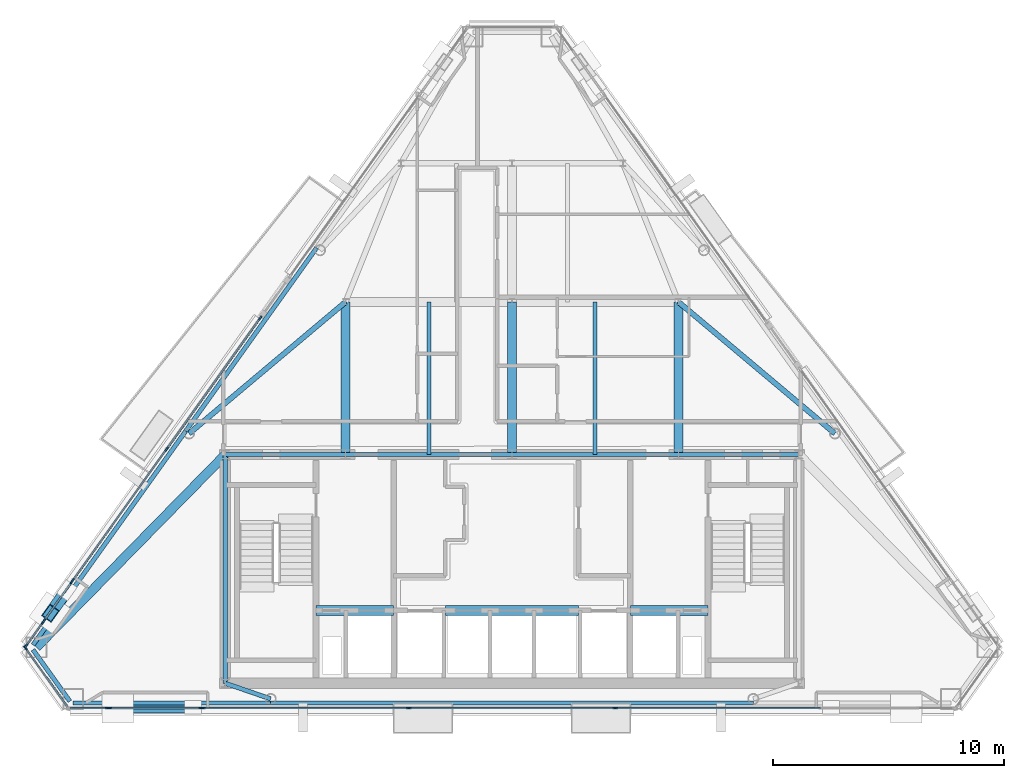
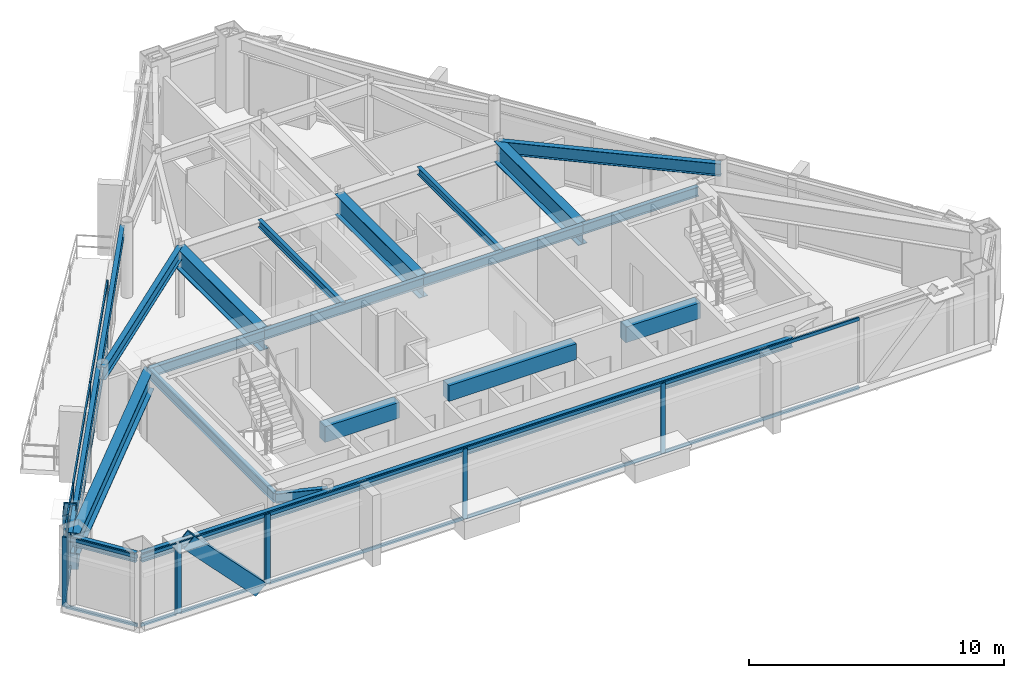
# One storey, part 4 of 12: 36 members, 22 beams, 7 elements without a shape of their own.
"""IFC4 building model written with IfcOpenShell, lengths in metres."""

from ifc_helpers import new_model, si_unit, direction, frame, origin, origin_2d, place, context, subcontext, project, spatial, rectangle, hollow_rectangle, i_section, extrude, material, layer, layer_set, material_profile, profile_set, type_object, element, aggregate, save


model = new_model("IFC4")

# Units and contexts
model_context = context("Model", 3, precision=1e-05, world=origin(), true_north=direction((0.0, 1.0)))
body_context = subcontext(model_context, "Body", "Model", "MODEL_VIEW")
ifc_project = project(units=[si_unit("LENGTHUNIT", "METRE"), si_unit("AREAUNIT", "SQUARE_METRE"), si_unit("VOLUMEUNIT", "CUBIC_METRE"), si_unit("PLANEANGLEUNIT", "RADIAN"), si_unit("MASSUNIT", "GRAM", prefix="KILO")], contexts=[model_context])

# Site, building, storey
site_placement = place(None, origin())
site = spatial("IfcSite", under=ifc_project, at=site_placement, CompositionType="ELEMENT")
building_placement = place(site_placement, origin())
building = spatial("IfcBuilding", under=site, at=building_placement, Name="Talgorran Terracotta Tower", CompositionType="ELEMENT")
storey_placement = place(building_placement, frame((0.0, 0.0, 277.800048828125)))
storey = spatial("IfcBuildingStorey", under=building, at=storey_placement, Name="L73", CompositionType="ELEMENT", Elevation=277.800048828125)

# Beams
ifc_material_1 = material(Name="Steel Grade 350 (350L0)", Category="steel")
ifc_material_profile_1 = material_profile(ifc_material_1, i_section(OverallWidth=0.39990234375, OverallDepth=1.0, WebThickness=0.01611328125, FlangeThickness=0.031005859375, at=origin_2d()), Name="1000WB296")
ifc_profile_set_1 = profile_set([ifc_material_profile_1], Name="Steel Grade 350 (350L0)")
beam_type_1 = type_object("IfcBeamType", Name="BM_1000WB296", PredefinedType="BEAM", material=ifc_profile_set_1)
for number, where, z_axis, x_axis, name in (
    (1, (-7.199951171875, -4.199951171875, 2.844970703125), (0.0, 1.0, 0.0), (-1.0, 0.0, 0.0), "L73 Floor Girder G01"),
    (2, (0.0, -4.199951171875, 2.844970703125), (0.0, 1.0, 0.0), (-1.0, 0.0, 0.0), "L73 Floor Girder G02"),
    (3, (7.199951171875, -4.199951171875, 2.844970703125), (0.0, 1.0, 0.0), (-1.0, 0.0, 0.0), "L73 Floor Girder G03"),
):
    element("IfcBeam", number, at=place(storey_placement, frame(where, z_axis=z_axis, x_axis=x_axis)), inside=storey, type_object=beam_type_1, Name=name, PredefinedType="BEAM", context=body_context, shape_type="SweptSolid", body=[
        extrude(i_section(OverallWidth=0.39990234375, OverallDepth=1.0, WebThickness=0.01611328125, FlangeThickness=0.031005859375, at=origin_2d()), origin(), (0.0, 0.0, 1.0), 6.599853515625),
    ])
beam_1_placement = place(storey_placement, frame((-12.39990234375, -4.199951171875, 2.844970703125), z_axis=(-0.700061173466, -0.714082875726, 0.0), x_axis=(0.714082875726, -0.700061173466, 0.0)))
element("IfcBeam", 4, at=beam_1_placement, inside=storey, type_object=beam_type_1, Name="L73 Floor Girder G17", PredefinedType="BEAM", context=body_context, shape_type="SweptSolid", body=[
    extrude(i_section(OverallWidth=0.39990234375, OverallDepth=1.0, WebThickness=0.01611328125, FlangeThickness=0.031005859375, at=origin_2d()), origin(), (0.0, 0.0, 1.0), 11.68310546875),
])
ifc_material_2 = material(Name="Steel S355 (300PLUS)", Category="steel")
ifc_material_profile_2 = material_profile(ifc_material_2, i_section(OverallWidth=0.22802734375, OverallDepth=0.60205078125, WebThickness=0.010498046875, FlangeThickness=0.014892578125, at=origin_2d()), Name="610UB101")
ifc_profile_set_2 = profile_set([ifc_material_profile_2], Name="Steel S355 (300PLUS)")
beam_type_2 = type_object("IfcBeamType", Name="BM_610UB101", PredefinedType="BEAM", material=ifc_profile_set_2)
for number, where, z_axis, x_axis, name in (
    (5, (-7.199951171875, 2.39990234375, 3.0439453125), (-0.765472083777, -0.643469104897, 0.0), (0.643469104897, -0.765472083777, 0.0), "L73 Floor Girder G06"),
    (6, (7.199951171875, 2.39990234375, 3.0439453125), (0.765472083777, -0.643469104897, 0.0), (0.643469104897, 0.765472083777, 0.0), "L73 Floor Girder G07"),
):
    element("IfcBeam", number, at=place(storey_placement, frame(where, z_axis=z_axis, x_axis=x_axis)), inside=storey, type_object=beam_type_2, Name=name, PredefinedType="BEAM", context=body_context, shape_type="SweptSolid", body=[
        extrude(i_section(OverallWidth=0.22802734375, OverallDepth=0.60205078125, WebThickness=0.010498046875, FlangeThickness=0.014892578125, at=origin_2d()), origin(), (0.0, 0.0, 1.0), 8.844970703125),
    ])
ifc_material_3 = material(Name="Concrete C50/60", Category="concrete")
ifc_material_profile_3 = material_profile(ifc_material_3, rectangle(XDim=0.449951171875, YDim=0.75, at=origin_2d()), Name="RCCB450X750")
ifc_profile_set_3 = profile_set([ifc_material_profile_3], Name="Concrete C50/60")
beam_type_3 = type_object("IfcBeamType", Name="BM_CB_450X750", PredefinedType="LINTEL", material=ifc_profile_set_3)
beam_2_placement = place(storey_placement, frame((-8.47998046875, -10.949951171875, 2.969970703125), z_axis=(1.0, 0.0, 0.0), x_axis=(0.0, 1.0, 0.0)))
element("IfcBeam", 7, at=beam_2_placement, inside=storey, type_object=beam_type_3, Name="L73 Core Shear-Wall Coupling Beam CB1", PredefinedType="LINTEL", context=body_context, shape_type="SweptSolid", body=[
    extrude(rectangle(XDim=0.449951171875, YDim=0.75, at=origin_2d()), origin(), (0.0, 0.0, 1.0), 3.35986328125),
])
beam_3_placement = place(storey_placement, frame((-2.8798828125, -10.949951171875, 2.969970703125), z_axis=(1.0, 0.0, 0.0), x_axis=(0.0, 1.0, 0.0)))
element("IfcBeam", 8, at=beam_3_placement, inside=storey, type_object=beam_type_3, Name="L73 Core Shear-Wall Coupling Beam CB2", PredefinedType="LINTEL", context=body_context, shape_type="SweptSolid", body=[
    extrude(rectangle(XDim=0.449951171875, YDim=0.75, at=origin_2d()), origin(), (0.0, 0.0, 1.0), 5.759765625),
])
beam_4_placement = place(storey_placement, frame((5.1201171875, -10.949951171875, 2.969970703125), z_axis=(1.0, 0.0, 0.0), x_axis=(0.0, 1.0, 0.0)))
element("IfcBeam", 9, at=beam_4_placement, inside=storey, type_object=beam_type_3, Name="L73 Core Shear-Wall Coupling Beam CB3", PredefinedType="LINTEL", context=body_context, shape_type="SweptSolid", body=[
    extrude(rectangle(XDim=0.449951171875, YDim=0.75, at=origin_2d()), origin(), (0.0, 0.0, 1.0), 3.35986328125),
])
ifc_material_profile_4 = material_profile(ifc_material_2, i_section(OverallWidth=0.17138671875, OverallDepth=0.355712890625, WebThickness=0.00732421875, FlangeThickness=0.011474609375, at=origin_2d()), Name="360UB50.7")
ifc_profile_set_4 = profile_set([ifc_material_profile_4], Name="Steel S355 (300PLUS)")
beam_type_4 = type_object("IfcBeamType", Name="BM_JS_360UB51", PredefinedType="JOIST", material=ifc_profile_set_4)
for number, where, z_axis, x_axis, name in (
    (10, (-3.60009765625, -4.199951171875, 3.167236328125), (0.0, 1.0, 0.0), (-1.0, 0.0, 0.0), "L73 Secondary Joist J01"),
    (11, (3.60009765625, -4.199951171875, 3.167236328125), (0.0, 1.0, 0.0), (-1.0, 0.0, 0.0), "L73 Secondary Joist J02"),
):
    element("IfcBeam", number, at=place(storey_placement, frame(where, z_axis=z_axis, x_axis=x_axis)), inside=storey, type_object=beam_type_4, Name=name, PredefinedType="JOIST", context=body_context, shape_type="SweptSolid", body=[
        extrude(i_section(OverallWidth=0.17138671875, OverallDepth=0.355712890625, WebThickness=0.00732421875, FlangeThickness=0.011474609375, at=origin_2d()), origin(), (0.0, 0.0, 1.0), 6.599853515625),
    ])
ifc_material_profile_5 = material_profile(ifc_material_2, i_section(OverallWidth=0.18994140625, OverallDepth=0.45703125, WebThickness=0.009033203125, FlangeThickness=0.014404296875, at=origin_2d()), Name="460UB74.6")
ifc_profile_set_5 = profile_set([ifc_material_profile_5], Name="Steel S355 (300PLUS)")
beam_type_5 = type_object("IfcBeamType", Name="BM_SP_460UB74", PredefinedType="SPANDREL", material=ifc_profile_set_5)
beam_5_placement = place(storey_placement, frame((-20.725341796875, -12.6474609375, 3.116455078125), z_axis=(0.581322401873, -0.813673315945, 0.0), x_axis=(0.813673315945, 0.581322401873, 0.0)))
element("IfcBeam", 12, at=beam_5_placement, inside=storey, type_object=beam_type_5, Name="L73 Perimeter Spandrel Beam MC1-MC2", PredefinedType="SPANDREL", context=body_context, shape_type="SweptSolid", body=[
    extrude(i_section(OverallWidth=0.18994140625, OverallDepth=0.45703125, WebThickness=0.009033203125, FlangeThickness=0.014404296875, at=origin_2d()), origin(), (0.0, 0.0, 1.0), 2.742431640625),
])
beam_6_placement = place(storey_placement, frame((-18.984619140625, -14.954345703125, 3.116455078125), z_axis=(1.0, 0.0, 0.0), x_axis=(0.0, 1.0, 0.0)))
element("IfcBeam", 13, at=beam_6_placement, inside=storey, type_object=beam_type_5, Name="L73 Perimeter Spandrel Beam MC2-FC1", PredefinedType="SPANDREL", context=body_context, shape_type="SweptSolid", body=[
    extrude(i_section(OverallWidth=0.18994140625, OverallDepth=0.45703125, WebThickness=0.009033203125, FlangeThickness=0.014404296875, at=origin_2d()), origin(), (0.0, 0.0, 1.0), 8.54296875),
])
beam_7_placement = place(storey_placement, frame((-10.441650390625, -14.954345703125, 3.116455078125), z_axis=(1.0, 0.0, 0.0), x_axis=(0.0, 1.0, 0.0)))
element("IfcBeam", 14, at=beam_7_placement, inside=storey, type_object=beam_type_5, Name="L73 Perimeter Spandrel Beam FC1-FC2", PredefinedType="SPANDREL", context=body_context, shape_type="SweptSolid", body=[
    extrude(i_section(OverallWidth=0.18994140625, OverallDepth=0.45703125, WebThickness=0.009033203125, FlangeThickness=0.014404296875, at=origin_2d()), origin(), (0.0, 0.0, 1.0), 20.88330078125),
])
beam_8_placement = place(storey_placement, frame((-8.45263671875, 4.742919921875, 3.116455078125), z_axis=(-0.58124293337, -0.813730085721, 0.0), x_axis=(0.813730085721, -0.58124293337, 0.0)))
element("IfcBeam", 15, at=beam_8_placement, inside=storey, type_object=beam_type_5, Name="L73 Perimeter Spandrel Beam FC5-FC6", PredefinedType="SPANDREL", context=body_context, shape_type="SweptSolid", body=[
    extrude(i_section(OverallWidth=0.18994140625, OverallDepth=0.45703125, WebThickness=0.009033203125, FlangeThickness=0.014404296875, at=origin_2d()), origin(), (0.0, 0.0, 1.0), 9.7451171875),
])
beam_9_placement = place(storey_placement, frame((-14.116943359375, -3.18701171875, 3.116455078125), z_axis=(-0.581260538156, -0.813717510431, 0.0), x_axis=(0.813717510431, -0.581260538156, 0.0)))
element("IfcBeam", 16, at=beam_9_placement, inside=storey, type_object=beam_type_5, Name="L73 Perimeter Spandrel Beam FC6-MC1", PredefinedType="SPANDREL", context=body_context, shape_type="SweptSolid", body=[
    extrude(i_section(OverallWidth=0.18994140625, OverallDepth=0.45703125, WebThickness=0.009033203125, FlangeThickness=0.014404296875, at=origin_2d()), origin(), (0.0, 0.0, 1.0), 11.369140625),
])
beam_10_placement = place(storey_placement, frame((-10.441650390625, -14.7744140625, 3.116455078125), z_axis=(-0.945513197236, 0.325583773939, 0.0), x_axis=(-0.325583773939, -0.945513197236, 0.0)))
element("IfcBeam", 17, at=beam_10_placement, inside=storey, type_object=beam_type_5, Name="L73 South-West Core Tie Beam", PredefinedType="SPANDREL", context=body_context, shape_type="SweptSolid", body=[
    extrude(i_section(OverallWidth=0.18994140625, OverallDepth=0.45703125, WebThickness=0.009033203125, FlangeThickness=0.014404296875, at=origin_2d()), origin(), (0.0, 0.0, 1.0), 2.071044921875),
])
beam_11_placement = place(storey_placement, frame((-12.39990234375, -14.10009765625, 3.116455078125), z_axis=(0.0, 1.0, 0.0), x_axis=(-1.0, 0.0, 0.0)))
element("IfcBeam", 18, at=beam_11_placement, inside=storey, type_object=beam_type_5, Name="L73 Core Frame Beam CFW", PredefinedType="SPANDREL", context=body_context, shape_type="SweptSolid", body=[
    extrude(i_section(OverallWidth=0.18994140625, OverallDepth=0.45703125, WebThickness=0.009033203125, FlangeThickness=0.014404296875, at=origin_2d()), origin(), (0.0, 0.0, 1.0), 9.900146484375),
])
beam_12_placement = place(storey_placement, frame((-12.39990234375, -4.199951171875, 3.116455078125), z_axis=(1.0, 0.0, 0.0), x_axis=(0.0, 1.0, 0.0)))
element("IfcBeam", 19, at=beam_12_placement, inside=storey, type_object=beam_type_5, Name="L73 Core Frame Beam CFN1", PredefinedType="SPANDREL", context=body_context, shape_type="SweptSolid", body=[
    extrude(i_section(OverallWidth=0.18994140625, OverallDepth=0.45703125, WebThickness=0.009033203125, FlangeThickness=0.014404296875, at=origin_2d()), origin(), (0.0, 0.0, 1.0), 5.199951171875),
])
for number, where, z_axis, x_axis, name in (
    (20, (-7.199951171875, -4.199951171875, 3.116455078125), (1.0, 0.0, 0.0), (0.0, 1.0, 0.0), "L73 Core Frame Beam CFN2"),
    (21, (0.0, -4.199951171875, 3.116455078125), (1.0, 0.0, 0.0), (0.0, 1.0, 0.0), "L73 Core Frame Beam CFN3"),
):
    element("IfcBeam", number, at=place(storey_placement, frame(where, z_axis=z_axis, x_axis=x_axis)), inside=storey, type_object=beam_type_5, Name=name, PredefinedType="SPANDREL", context=body_context, shape_type="SweptSolid", body=[
        extrude(i_section(OverallWidth=0.18994140625, OverallDepth=0.45703125, WebThickness=0.009033203125, FlangeThickness=0.014404296875, at=origin_2d()), origin(), (0.0, 0.0, 1.0), 7.199951171875),
    ])
beam_13_placement = place(storey_placement, frame((7.199951171875, -4.199951171875, 3.116455078125), z_axis=(1.0, 0.0, 0.0), x_axis=(0.0, 1.0, 0.0)))
element("IfcBeam", 22, at=beam_13_placement, inside=storey, type_object=beam_type_5, Name="L73 Core Frame Beam CFN4", PredefinedType="SPANDREL", context=body_context, shape_type="SweptSolid", body=[
    extrude(i_section(OverallWidth=0.18994140625, OverallDepth=0.45703125, WebThickness=0.009033203125, FlangeThickness=0.014404296875, at=origin_2d()), origin(), (0.0, 0.0, 1.0), 5.199951171875),
])

# Members
ifc_material_profile_6 = material_profile(ifc_material_1, hollow_rectangle(XDim=0.52001953125, YDim=0.659912109375, WallThickness=0.034912109375, at=origin_2d()), Name="WBOX660X520X35")
ifc_profile_set_6 = profile_set([ifc_material_profile_6], Name="Steel Grade 350 (350L0)")
member_type_1 = type_object("IfcMemberType", Name="MB_MEGA_660", PredefinedType="BRACE", material=ifc_profile_set_6)
member_1_placement = place(storey_placement, frame((-13.802490234375, -15.134521484375, -0.025146484375), z_axis=(-0.6924843103, 0.0, 0.721432935198), x_axis=(0.0, -1.0, 0.0)))
element("IfcMember", 23, at=member_1_placement, inside=storey, type_object=member_type_1, Name="L73 Exterior Face Mega-Brace MB-3 (SWF)", PredefinedType="BRACE", context=body_context, shape_type="SweptSolid", body=[
    extrude(hollow_rectangle(XDim=0.52001953125, YDim=0.659912109375, WallThickness=0.034912109375, at=origin_2d()), origin(), (0.0, 0.0, 1.0), 4.7060546875),
])
member_2_placement = place(storey_placement, frame((-19.260498046875, -10.077880859375, -0.025146484375), z_axis=(-0.196291068878, -0.274807496429, 0.941249518558), x_axis=(0.813733471207, -0.581238193719, 0.0)))
element("IfcMember", 24, at=member_2_placement, inside=storey, type_object=member_type_1, Name="L73 Exterior Face Mega-Brace MB-3 (NWL)", PredefinedType="BRACE", context=body_context, shape_type="SweptSolid", body=[
    extrude(hollow_rectangle(XDim=0.52001953125, YDim=0.659912109375, WallThickness=0.034912109375, at=origin_2d()), origin(), (0.0, 0.0, 1.0), 3.60693359375),
])

# Curtain wall, member
ifc_material_4 = material(Name="High-Wind Unitised Glazing", Category="glass")
ifc_layer = layer(ifc_material_4, 0.2099609375, Name="CW_SYS3_RES_HIGH")
ifc_layer_set = layer_set([ifc_layer], Name="High-Wind Unitised Glazing")
curtain_wall_type = type_object("IfcCurtainWallType", Name="CW_SYS3_RES_HIGH", PredefinedType="NOTDEFINED", material=ifc_layer_set)
curtain_wall_1_placement = place(storey_placement, origin())
curtain_wall_1 = element("IfcCurtainWall", 25, at=curtain_wall_1_placement, inside=storey, type_object=curtain_wall_type, Name="CW-L73-F0", PredefinedType="NOTDEFINED")
ifc_material_5 = material(Name="Architectural Aluminium 6063-T6", Category="aluminium")
ifc_material_profile_7 = material_profile(ifc_material_5, rectangle(XDim=0.070068359375, YDim=0.199951171875, at=origin_2d()), Name="CWM70X200")
ifc_profile_set_7 = profile_set([ifc_material_profile_7], Name="Architectural Aluminium 6063-T6")
member_type_2 = type_object("IfcMemberType", Name="MUL_70X200", PredefinedType="MULLION", material=ifc_profile_set_7)
member_3_placement = place(storey_placement, frame((-21.050048828125, -12.5712890625, 0.0), z_axis=(0.0, 0.0, 1.0), x_axis=(0.813720935413, 0.58125574343, 0.0)))
member_3 = element("IfcMember", 26, at=member_3_placement, type_object=member_type_2, Name="CW-L73-0 mullion 1", PredefinedType="MULLION", context=body_context, shape_type="SweptSolid", body=[
    extrude(rectangle(XDim=0.070068359375, YDim=0.199951171875, at=origin_2d()), origin(), (0.0, 0.0, 1.0), 3.344970703125),
])

curtain_wall_2_placement = place(storey_placement, origin())
curtain_wall_2 = element("IfcCurtainWall", 27, at=curtain_wall_2_placement, inside=storey, type_object=curtain_wall_type, Name="CW-L73-F1", PredefinedType="NOTDEFINED")
member_4_placement = place(storey_placement, frame((-17.489501953125, -15.17431640625, 0.0), z_axis=(0.0, 0.0, 1.0), x_axis=(0.0, 1.0, 0.0)))
member_4 = element("IfcMember", 28, at=member_4_placement, type_object=member_type_2, Name="CW-L73-1 mullion 2", PredefinedType="MULLION", context=body_context, shape_type="SweptSolid", body=[
    extrude(rectangle(XDim=0.070068359375, YDim=0.199951171875, at=origin_2d()), origin(), (0.0, 0.0, 1.0), 3.344970703125),
])

# Curtain wall, members
curtain_wall_3_placement = place(storey_placement, origin())
curtain_wall_3 = element("IfcCurtainWall", 29, at=curtain_wall_3_placement, inside=storey, type_object=curtain_wall_type, Name="CW-L73-F1B", PredefinedType="NOTDEFINED")
member_5_placement = place(storey_placement, frame((-17.409423828125, -15.17431640625, 0.0), z_axis=(0.0, 0.0, 1.0), x_axis=(0.0, 1.0, 0.0)))
member_5 = element("IfcMember", 30, at=member_5_placement, type_object=member_type_2, Name="CW-L73-1B mullion 1", PredefinedType="MULLION", context=body_context, shape_type="SweptSolid", body=[
    extrude(rectangle(XDim=0.070068359375, YDim=0.199951171875, at=origin_2d()), origin(), (0.0, 0.0, 1.0), 3.344970703125),
])
member_6_placement = place(storey_placement, frame((-13.454345703125, -15.17431640625, 0.0), z_axis=(0.0, 0.0, 1.0), x_axis=(0.0, 1.0, 0.0)))
member_6 = element("IfcMember", 31, at=member_6_placement, type_object=member_type_2, Name="CW-L73-1B mullion 2", PredefinedType="MULLION", context=body_context, shape_type="SweptSolid", body=[
    extrude(rectangle(XDim=0.070068359375, YDim=0.199951171875, at=origin_2d()), origin(), (0.0, 0.0, 1.0), 3.344970703125),
])

curtain_wall_4_placement = place(storey_placement, origin())
curtain_wall_4 = element("IfcCurtainWall", 32, at=curtain_wall_4_placement, inside=storey, type_object=curtain_wall_type, Name="CW-L73-F1C", PredefinedType="NOTDEFINED")
member_7_placement = place(storey_placement, frame((-13.374267578125, -15.17431640625, 0.0), z_axis=(0.0, 0.0, 1.0), x_axis=(0.0, 1.0, 0.0)))
member_7 = element("IfcMember", 33, at=member_7_placement, type_object=member_type_2, Name="CW-L73-1C mullion 1", PredefinedType="MULLION", context=body_context, shape_type="SweptSolid", body=[
    extrude(rectangle(XDim=0.070068359375, YDim=0.199951171875, at=origin_2d()), origin(), (0.0, 0.0, 1.0), 3.344970703125),
])
member_8_placement = place(storey_placement, frame((-4.4697265625, -15.17431640625, 0.0), z_axis=(0.0, 0.0, 1.0), x_axis=(0.0, 1.0, 0.0)))
member_8 = element("IfcMember", 34, at=member_8_placement, type_object=member_type_2, Name="CW-L73-1C mullion 2", PredefinedType="MULLION", context=body_context, shape_type="SweptSolid", body=[
    extrude(rectangle(XDim=0.070068359375, YDim=0.199951171875, at=origin_2d()), origin(), (0.0, 0.0, 1.0), 3.344970703125),
])
member_9_placement = place(storey_placement, frame((4.4697265625, -15.17431640625, 0.0), z_axis=(0.0, 0.0, 1.0), x_axis=(0.0, 1.0, 0.0)))
member_9 = element("IfcMember", 35, at=member_9_placement, type_object=member_type_2, Name="CW-L73-1C mullion 3", PredefinedType="MULLION", context=body_context, shape_type="SweptSolid", body=[
    extrude(rectangle(XDim=0.070068359375, YDim=0.199951171875, at=origin_2d()), origin(), (0.0, 0.0, 1.0), 3.344970703125),
])

curtain_wall_5_placement = place(storey_placement, origin())
curtain_wall_5 = element("IfcCurtainWall", 36, at=curtain_wall_5_placement, inside=storey, type_object=curtain_wall_type, Name="CW-L73-F61", PredefinedType="NOTDEFINED")
member_10_placement = place(storey_placement, frame((-10.8935546875, 1.704345703125, 0.0), z_axis=(0.0, 0.0, 1.0), x_axis=(0.813726724123, -0.581247639521, 0.0)))
member_10 = element("IfcMember", 37, at=member_10_placement, type_object=member_type_2, Name="CW-L73-61 mullion 1", PredefinedType="MULLION", context=body_context, shape_type="SweptSolid", body=[
    extrude(rectangle(XDim=0.070068359375, YDim=0.199951171875, at=origin_2d()), origin(), (0.0, 0.0, 1.0), 3.344970703125),
])
member_11_placement = place(storey_placement, frame((-14.94775390625, -3.971435546875, 0.0), z_axis=(0.0, 0.0, 1.0), x_axis=(0.813726724123, -0.581247639521, 0.0)))
member_11 = element("IfcMember", 38, at=member_11_placement, type_object=member_type_2, Name="CW-L73-61 mullion 2", PredefinedType="MULLION", context=body_context, shape_type="SweptSolid", body=[
    extrude(rectangle(XDim=0.070068359375, YDim=0.199951171875, at=origin_2d()), origin(), (0.0, 0.0, 1.0), 3.344970703125),
])
member_12_placement = place(storey_placement, frame((-19.001953125, -9.647216796875, 0.0), z_axis=(0.0, 0.0, 1.0), x_axis=(0.813726724123, -0.581247639521, 0.0)))
member_12 = element("IfcMember", 39, at=member_12_placement, type_object=member_type_2, Name="CW-L73-61 mullion 3", PredefinedType="MULLION", context=body_context, shape_type="SweptSolid", body=[
    extrude(rectangle(XDim=0.070068359375, YDim=0.199951171875, at=origin_2d()), origin(), (0.0, 0.0, 1.0), 3.344970703125),
])

curtain_wall_6_placement = place(storey_placement, origin())
curtain_wall_6 = element("IfcCurtainWall", 40, at=curtain_wall_6_placement, inside=storey, type_object=curtain_wall_type, Name="CW-L73-F61B", PredefinedType="NOTDEFINED")
member_13_placement = place(storey_placement, frame((-19.04833984375, -9.71240234375, 0.0), z_axis=(0.0, 0.0, 1.0), x_axis=(0.813714433127, -0.581264846108, 0.0)))
member_13 = element("IfcMember", 41, at=member_13_placement, type_object=member_type_2, Name="CW-L73-61B mullion 1", PredefinedType="MULLION", context=body_context, shape_type="SweptSolid", body=[
    extrude(rectangle(XDim=0.070068359375, YDim=0.199951171875, at=origin_2d()), origin(), (0.0, 0.0, 1.0), 3.344970703125),
])
member_14_placement = place(storey_placement, frame((-20.24560546875, -11.388427734375, 0.0), z_axis=(0.0, 0.0, 1.0), x_axis=(0.813714433127, -0.581264846108, 0.0)))
member_14 = element("IfcMember", 42, at=member_14_placement, type_object=member_type_2, Name="CW-L73-61B mullion 2", PredefinedType="MULLION", context=body_context, shape_type="SweptSolid", body=[
    extrude(rectangle(XDim=0.070068359375, YDim=0.199951171875, at=origin_2d()), origin(), (0.0, 0.0, 1.0), 3.344970703125),
])

curtain_wall_7_placement = place(storey_placement, origin())
curtain_wall_7 = element("IfcCurtainWall", 43, at=curtain_wall_7_placement, inside=storey, type_object=curtain_wall_type, Name="CW-L73-F61C", PredefinedType="NOTDEFINED")
member_15_placement = place(storey_placement, frame((-20.2919921875, -11.453369140625, 0.0), z_axis=(0.0, 0.0, 1.0), x_axis=(0.813728405611, -0.581245285488, 0.0)))
member_15 = element("IfcMember", 44, at=member_15_placement, type_object=member_type_2, Name="CW-L73-61C mullion 1", PredefinedType="MULLION", context=body_context, shape_type="SweptSolid", body=[
    extrude(rectangle(XDim=0.070068359375, YDim=0.199951171875, at=origin_2d()), origin(), (0.0, 0.0, 1.0), 3.344970703125),
])
member_16_placement = place(storey_placement, frame((-21.026611328125, -12.48193359375, 0.0), z_axis=(0.0, 0.0, 1.0), x_axis=(0.813728405611, -0.581245285488, 0.0)))
member_16 = element("IfcMember", 45, at=member_16_placement, type_object=member_type_2, Name="CW-L73-61C mullion 2", PredefinedType="MULLION", context=body_context, shape_type="SweptSolid", body=[
    extrude(rectangle(XDim=0.070068359375, YDim=0.199951171875, at=origin_2d()), origin(), (0.0, 0.0, 1.0), 3.344970703125),
])

# Member
ifc_material_profile_8 = material_profile(ifc_material_5, rectangle(XDim=0.070068359375, YDim=0.159912109375, at=origin_2d()), Name="CWT70X160")
ifc_profile_set_8 = profile_set([ifc_material_profile_8], Name="Architectural Aluminium 6063-T6")
member_type_3 = type_object("IfcMemberType", Name="TRN_70X160", PredefinedType="USERDEFINED", material=ifc_profile_set_8)
member_17_placement = place(storey_placement, frame((-21.029541015625, -12.599853515625, 0.034912109375), z_axis=(0.581253122593, -0.813722807518, 0.0), x_axis=(0.813722807518, 0.581253122593, 0.0)))
member_17 = element("IfcMember", 46, at=member_17_placement, type_object=member_type_3, Name="CW-L73-0 transom 1.1", ObjectType="TRANSOM", PredefinedType="USERDEFINED", context=body_context, shape_type="SweptSolid", body=[
    extrude(rectangle(XDim=0.070068359375, YDim=0.159912109375, at=origin_2d()), origin(), (0.0, 0.0, 1.0), 3.093994140625),
])

member_18_placement = place(storey_placement, frame((-21.029541015625, -12.599853515625, 3.31005859375), z_axis=(0.581253122593, -0.813722807518, 0.0), x_axis=(0.813722807518, 0.581253122593, 0.0)))
member_18 = element("IfcMember", 47, at=member_18_placement, type_object=member_type_3, Name="CW-L73-0 transom 1.2", ObjectType="TRANSOM", PredefinedType="USERDEFINED", context=body_context, shape_type="SweptSolid", body=[
    extrude(rectangle(XDim=0.070068359375, YDim=0.159912109375, at=origin_2d()), origin(), (0.0, 0.0, 1.0), 3.093994140625),
])

aggregate(curtain_wall_1, [member_3, member_17, member_18])

member_19_placement = place(storey_placement, frame((-19.12060546875, -15.17431640625, 0.034912109375), z_axis=(1.0, 0.0, 0.0), x_axis=(0.0, 1.0, 0.0)))
member_19 = element("IfcMember", 48, at=member_19_placement, type_object=member_type_3, Name="CW-L73-1 transom 1.1", ObjectType="TRANSOM", PredefinedType="USERDEFINED", context=body_context, shape_type="SweptSolid", body=[
    extrude(rectangle(XDim=0.070068359375, YDim=0.159912109375, at=origin_2d()), origin(), (0.0, 0.0, 1.0), 1.59619140625),
])

member_20_placement = place(storey_placement, frame((-19.12060546875, -15.17431640625, 3.31005859375), z_axis=(1.0, 0.0, 0.0), x_axis=(0.0, 1.0, 0.0)))
member_20 = element("IfcMember", 49, at=member_20_placement, type_object=member_type_3, Name="CW-L73-1 transom 1.2", ObjectType="TRANSOM", PredefinedType="USERDEFINED", context=body_context, shape_type="SweptSolid", body=[
    extrude(rectangle(XDim=0.070068359375, YDim=0.159912109375, at=origin_2d()), origin(), (0.0, 0.0, 1.0), 1.59619140625),
])

aggregate(curtain_wall_2, [member_4, member_19, member_20])

member_21_placement = place(storey_placement, frame((-17.37451171875, -15.17431640625, 0.034912109375), z_axis=(1.0, 0.0, 0.0), x_axis=(0.0, 1.0, 0.0)))
member_21 = element("IfcMember", 50, at=member_21_placement, type_object=member_type_3, Name="CW-L73-1B transom 1.1", ObjectType="TRANSOM", PredefinedType="USERDEFINED", context=body_context, shape_type="SweptSolid", body=[
    extrude(rectangle(XDim=0.070068359375, YDim=0.159912109375, at=origin_2d()), origin(), (0.0, 0.0, 1.0), 3.88525390625),
])

member_22_placement = place(storey_placement, frame((-17.37451171875, -15.17431640625, 3.31005859375), z_axis=(1.0, 0.0, 0.0), x_axis=(0.0, 1.0, 0.0)))
member_22 = element("IfcMember", 51, at=member_22_placement, type_object=member_type_3, Name="CW-L73-1B transom 1.2", ObjectType="TRANSOM", PredefinedType="USERDEFINED", context=body_context, shape_type="SweptSolid", body=[
    extrude(rectangle(XDim=0.070068359375, YDim=0.159912109375, at=origin_2d()), origin(), (0.0, 0.0, 1.0), 3.88525390625),
])

aggregate(curtain_wall_3, [member_5, member_6, member_21, member_22])

member_23_placement = place(storey_placement, frame((-13.33935546875, -15.17431640625, 0.034912109375), z_axis=(1.0, 0.0, 0.0), x_axis=(0.0, 1.0, 0.0)))
member_23 = element("IfcMember", 52, at=member_23_placement, type_object=member_type_3, Name="CW-L73-1C transom 1.1", ObjectType="TRANSOM", PredefinedType="USERDEFINED", context=body_context, shape_type="SweptSolid", body=[
    extrude(rectangle(XDim=0.070068359375, YDim=0.159912109375, at=origin_2d()), origin(), (0.0, 0.0, 1.0), 8.83447265625),
])

member_24_placement = place(storey_placement, frame((-13.33935546875, -15.17431640625, 3.31005859375), z_axis=(1.0, 0.0, 0.0), x_axis=(0.0, 1.0, 0.0)))
member_24 = element("IfcMember", 53, at=member_24_placement, type_object=member_type_3, Name="CW-L73-1C transom 1.2", ObjectType="TRANSOM", PredefinedType="USERDEFINED", context=body_context, shape_type="SweptSolid", body=[
    extrude(rectangle(XDim=0.070068359375, YDim=0.159912109375, at=origin_2d()), origin(), (0.0, 0.0, 1.0), 8.83447265625),
])

member_25_placement = place(storey_placement, frame((-4.434814453125, -15.17431640625, 0.034912109375), z_axis=(1.0, 0.0, 0.0), x_axis=(0.0, 1.0, 0.0)))
member_25 = element("IfcMember", 54, at=member_25_placement, type_object=member_type_3, Name="CW-L73-1C transom 2.1", ObjectType="TRANSOM", PredefinedType="USERDEFINED", context=body_context, shape_type="SweptSolid", body=[
    extrude(rectangle(XDim=0.070068359375, YDim=0.159912109375, at=origin_2d()), origin(), (0.0, 0.0, 1.0), 8.86962890625),
])

member_26_placement = place(storey_placement, frame((-4.434814453125, -15.17431640625, 3.31005859375), z_axis=(1.0, 0.0, 0.0), x_axis=(0.0, 1.0, 0.0)))
member_26 = element("IfcMember", 55, at=member_26_placement, type_object=member_type_3, Name="CW-L73-1C transom 2.2", ObjectType="TRANSOM", PredefinedType="USERDEFINED", context=body_context, shape_type="SweptSolid", body=[
    extrude(rectangle(XDim=0.070068359375, YDim=0.159912109375, at=origin_2d()), origin(), (0.0, 0.0, 1.0), 8.86962890625),
])

member_27_placement = place(storey_placement, frame((4.5048828125, -15.17431640625, 0.034912109375), z_axis=(1.0, 0.0, 0.0), x_axis=(0.0, 1.0, 0.0)))
member_27 = element("IfcMember", 56, at=member_27_placement, type_object=member_type_3, Name="CW-L73-1C transom 3.1", ObjectType="TRANSOM", PredefinedType="USERDEFINED", context=body_context, shape_type="SweptSolid", body=[
    extrude(rectangle(XDim=0.070068359375, YDim=0.159912109375, at=origin_2d()), origin(), (0.0, 0.0, 1.0), 8.83447265625),
])

member_28_placement = place(storey_placement, frame((4.5048828125, -15.17431640625, 3.31005859375), z_axis=(1.0, 0.0, 0.0), x_axis=(0.0, 1.0, 0.0)))
member_28 = element("IfcMember", 57, at=member_28_placement, type_object=member_type_3, Name="CW-L73-1C transom 3.2", ObjectType="TRANSOM", PredefinedType="USERDEFINED", context=body_context, shape_type="SweptSolid", body=[
    extrude(rectangle(XDim=0.070068359375, YDim=0.159912109375, at=origin_2d()), origin(), (0.0, 0.0, 1.0), 8.83447265625),
])

aggregate(curtain_wall_4, [member_7, member_8, member_9, member_23, member_24, member_25, member_26, member_27, member_28])

member_29_placement = place(storey_placement, frame((-10.913818359375, 1.67578125, 0.034912109375), z_axis=(-0.581231504563, -0.813738249134, 0.0), x_axis=(0.813738249134, -0.581231504563, 0.0)))
member_29 = element("IfcMember", 58, at=member_29_placement, type_object=member_type_3, Name="CW-L73-61 transom 1.1", ObjectType="TRANSOM", PredefinedType="USERDEFINED", context=body_context, shape_type="SweptSolid", body=[
    extrude(rectangle(XDim=0.070068359375, YDim=0.159912109375, at=origin_2d()), origin(), (0.0, 0.0, 1.0), 6.905029296875),
])

member_30_placement = place(storey_placement, frame((-10.913818359375, 1.67578125, 3.31005859375), z_axis=(-0.581231504563, -0.813738249134, 0.0), x_axis=(0.813738249134, -0.581231504563, 0.0)))
member_30 = element("IfcMember", 59, at=member_30_placement, type_object=member_type_3, Name="CW-L73-61 transom 1.2", ObjectType="TRANSOM", PredefinedType="USERDEFINED", context=body_context, shape_type="SweptSolid", body=[
    extrude(rectangle(XDim=0.070068359375, YDim=0.159912109375, at=origin_2d()), origin(), (0.0, 0.0, 1.0), 6.905029296875),
])

member_31_placement = place(storey_placement, frame((-14.968017578125, -4.0, 0.034912109375), z_axis=(-0.581254916094, -0.813721526394, 0.0), x_axis=(0.813721526394, -0.581254916094, 0.0)))
member_31 = element("IfcMember", 60, at=member_31_placement, type_object=member_type_3, Name="CW-L73-61 transom 2.1", ObjectType="TRANSOM", PredefinedType="USERDEFINED", context=body_context, shape_type="SweptSolid", body=[
    extrude(rectangle(XDim=0.070068359375, YDim=0.159912109375, at=origin_2d()), origin(), (0.0, 0.0, 1.0), 6.9052734375),
])

member_32_placement = place(storey_placement, frame((-14.968017578125, -4.0, 3.31005859375), z_axis=(-0.581254916094, -0.813721526394, 0.0), x_axis=(0.813721526394, -0.581254916094, 0.0)))
member_32 = element("IfcMember", 61, at=member_32_placement, type_object=member_type_3, Name="CW-L73-61 transom 2.2", ObjectType="TRANSOM", PredefinedType="USERDEFINED", context=body_context, shape_type="SweptSolid", body=[
    extrude(rectangle(XDim=0.070068359375, YDim=0.159912109375, at=origin_2d()), origin(), (0.0, 0.0, 1.0), 6.9052734375),
])

aggregate(curtain_wall_5, [member_10, member_11, member_12, member_29, member_30, member_31, member_32])

member_33_placement = place(storey_placement, frame((-19.06884765625, -9.740966796875, 0.034912109375), z_axis=(-0.581203367154, -0.813758346199, 0.0), x_axis=(0.813758346199, -0.581203367154, 0.0)))
member_33 = element("IfcMember", 62, at=member_33_placement, type_object=member_type_3, Name="CW-L73-61B transom 1.1", ObjectType="TRANSOM", PredefinedType="USERDEFINED", context=body_context, shape_type="SweptSolid", body=[
    extrude(rectangle(XDim=0.070068359375, YDim=0.159912109375, at=origin_2d()), origin(), (0.0, 0.0, 1.0), 1.989501953125),
])

member_34_placement = place(storey_placement, frame((-19.06884765625, -9.740966796875, 3.31005859375), z_axis=(-0.581203367154, -0.813758346199, 0.0), x_axis=(0.813758346199, -0.581203367154, 0.0)))
member_34 = element("IfcMember", 63, at=member_34_placement, type_object=member_type_3, Name="CW-L73-61B transom 1.2", ObjectType="TRANSOM", PredefinedType="USERDEFINED", context=body_context, shape_type="SweptSolid", body=[
    extrude(rectangle(XDim=0.070068359375, YDim=0.159912109375, at=origin_2d()), origin(), (0.0, 0.0, 1.0), 1.989501953125),
])

aggregate(curtain_wall_6, [member_13, member_14, member_33, member_34])

member_35_placement = place(storey_placement, frame((-20.3125, -11.48193359375, 0.034912109375), z_axis=(-0.581218847967, -0.813747289254, 0.0), x_axis=(0.813747289254, -0.581218847967, 0.0)))
member_35 = element("IfcMember", 64, at=member_35_placement, type_object=member_type_3, Name="CW-L73-61C transom 1.1", ObjectType="TRANSOM", PredefinedType="USERDEFINED", context=body_context, shape_type="SweptSolid", body=[
    extrude(rectangle(XDim=0.070068359375, YDim=0.159912109375, at=origin_2d()), origin(), (0.0, 0.0, 1.0), 1.19384765625),
])

member_36_placement = place(storey_placement, frame((-20.3125, -11.48193359375, 3.31005859375), z_axis=(-0.581218847967, -0.813747289254, 0.0), x_axis=(0.813747289254, -0.581218847967, 0.0)))
member_36 = element("IfcMember", 65, at=member_36_placement, type_object=member_type_3, Name="CW-L73-61C transom 1.2", ObjectType="TRANSOM", PredefinedType="USERDEFINED", context=body_context, shape_type="SweptSolid", body=[
    extrude(rectangle(XDim=0.070068359375, YDim=0.159912109375, at=origin_2d()), origin(), (0.0, 0.0, 1.0), 1.19384765625),
])

aggregate(curtain_wall_7, [member_15, member_16, member_35, member_36])

save(model, "model.ifc")
